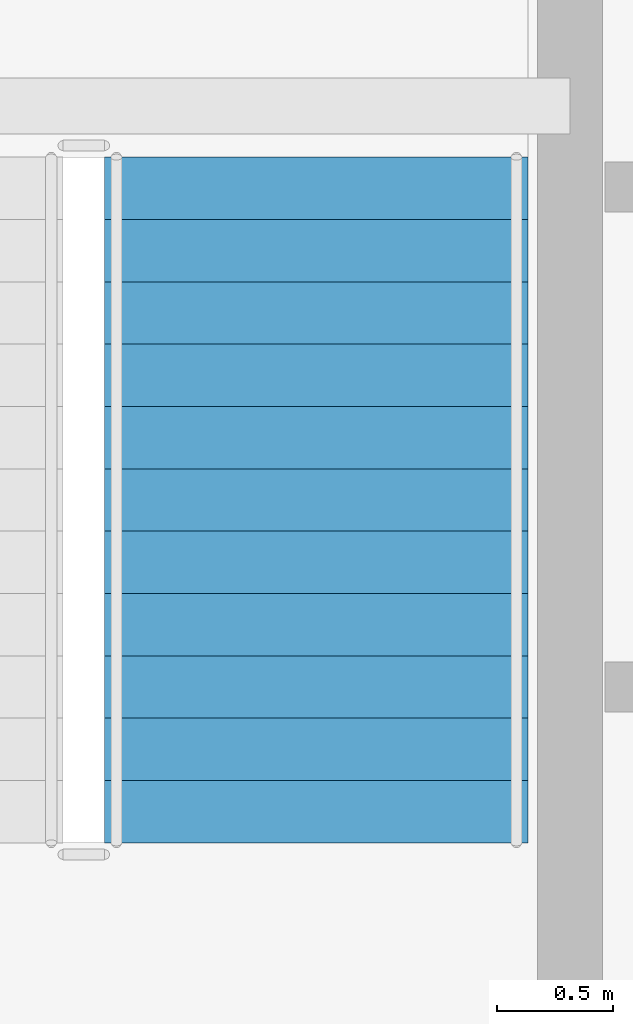
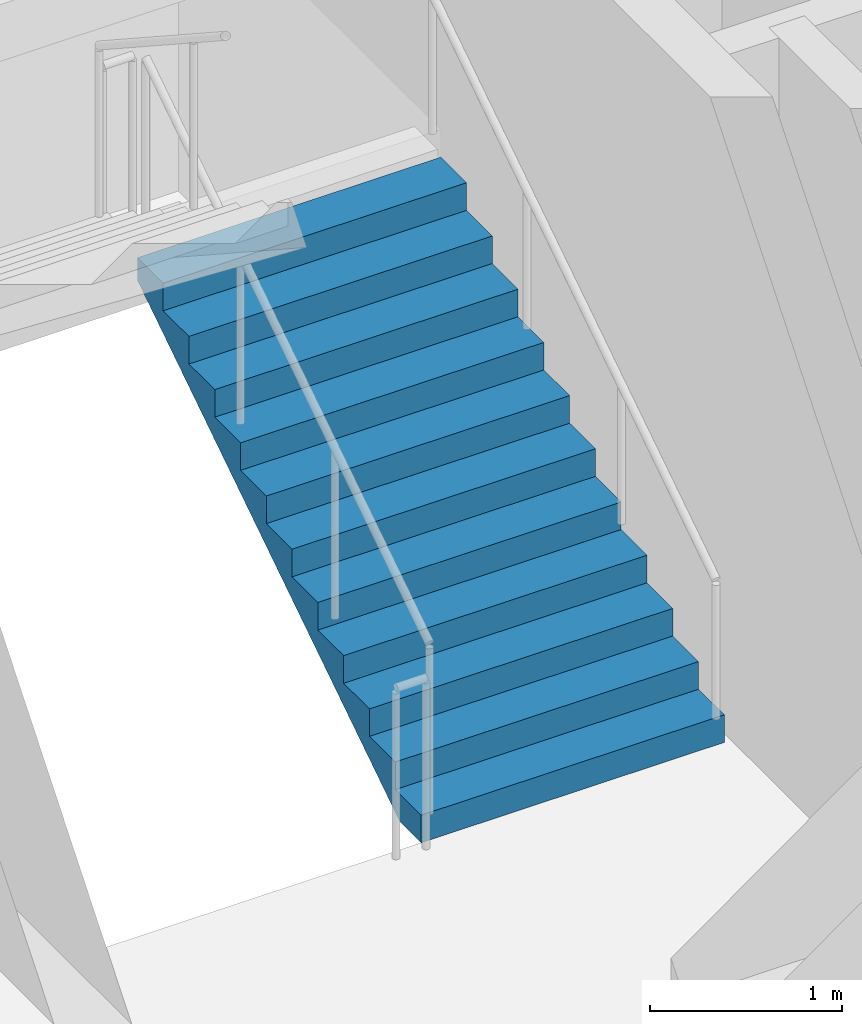
# One storey, part 24 of 30: 1 stair flight, 1 element without a shape of its own.
"""IFC4 building model written with IfcOpenShell, lengths in metres."""

from ifc_helpers import new_model, si_unit, direction, frame, origin, place, context, subcontext, project, spatial, polyline, outline, extrude, material, type_object, element, aggregate, save


model = new_model("IFC4")

# Units and contexts
model_context = context("Model", 3, precision=1e-05, world=origin(), true_north=direction((0.0, 1.0)))
body_context = subcontext(model_context, "Body", "Model", "MODEL_VIEW")
ifc_project = project(units=[si_unit("LENGTHUNIT", "METRE"), si_unit("AREAUNIT", "SQUARE_METRE"), si_unit("VOLUMEUNIT", "CUBIC_METRE"), si_unit("PLANEANGLEUNIT", "RADIAN"), si_unit("MASSUNIT", "GRAM", prefix="KILO")], contexts=[model_context])

# Site, building, storey
site_placement = place(None, origin())
site = spatial("IfcSite", under=ifc_project, at=site_placement, CompositionType="ELEMENT")
building_placement = place(site_placement, origin())
building = spatial("IfcBuilding", under=site, at=building_placement, Name="Canggui Botanical Conservatory", CompositionType="ELEMENT")
storey_placement = place(building_placement, frame((0.0, 0.0, 27.60009765625)))
storey = spatial("IfcBuildingStorey", under=building, at=storey_placement, Name="L07", CompositionType="ELEMENT", Elevation=27.60009765625)

# Stair, stair flight
ifc_material = material(Name="Concrete C35", Category="concrete")
stair_type = type_object("IfcStairType", Name="STR-TYPE-6", PredefinedType="HALF_TURN_STAIR", material=ifc_material)
stair_placement = place(storey_placement, origin())
stair = element("IfcStair", 1, at=stair_placement, inside=storey, type_object=stair_type, Name="L07 Tower North Smoke-Proof Stair ST-T2", PredefinedType="HALF_TURN_STAIR")
stair_flight_type = type_object("IfcStairFlightType", Name="SFL-TYPE-6", PredefinedType="STRAIGHT", material=ifc_material)
stair_flight_placement = place(storey_placement, frame((157.2099609375, 60.080078125, 0.0), z_axis=(0.0, 0.0, 1.0), x_axis=(0.0, 1.0, 0.0)))
stair_flight = element("IfcStairFlight", 2, at=stair_flight_placement, type_object=stair_flight_type, Name="ST-T2 flight 1", NumberOfRisers=12, NumberOfTreads=11, PredefinedType="STRAIGHT", RiserHeight=0.175, TreadLength=0.268, context=body_context, shape_type="SweptSolid", body=[
    extrude(outline(polyline([(0.0, 0.0), (0.0, 0.175048828125), (0.26806640625, 0.175048828125), (0.26806640625, 0.35009765625), (0.535888671875, 0.35009765625), (0.535888671875, 0.52490234375), (0.803955078125, 0.52490234375), (0.803955078125, 0.699951171875), (1.072021484375, 0.699951171875), (1.072021484375, 0.875), (1.340087890625, 0.875), (1.340087890625, 1.050048828125), (1.60791015625, 1.050048828125), (1.60791015625, 1.22509765625), (1.8759765625, 1.22509765625), (1.8759765625, 1.39990234375), (2.14404296875, 1.39990234375), (2.14404296875, 1.574951171875), (2.412109375, 1.574951171875), (2.412109375, 1.75), (2.679931640625, 1.75), (2.679931640625, 1.925048828125), (2.947998046875, 1.925048828125), (2.947998046875, 2.10009765625), (2.947998046875, 1.781494140625), (0.2197265625, 0.0), (0.0, 0.0)])), frame((0.0, 0.91015625, 0.0), z_axis=(0.0, -1.0, 0.0), x_axis=(1.0, 0.0, 0.0)), (0.0, 0.0, 1.0), 1.820068359375),
])
aggregate(stair, [stair_flight])

save(model, "model.ifc")
